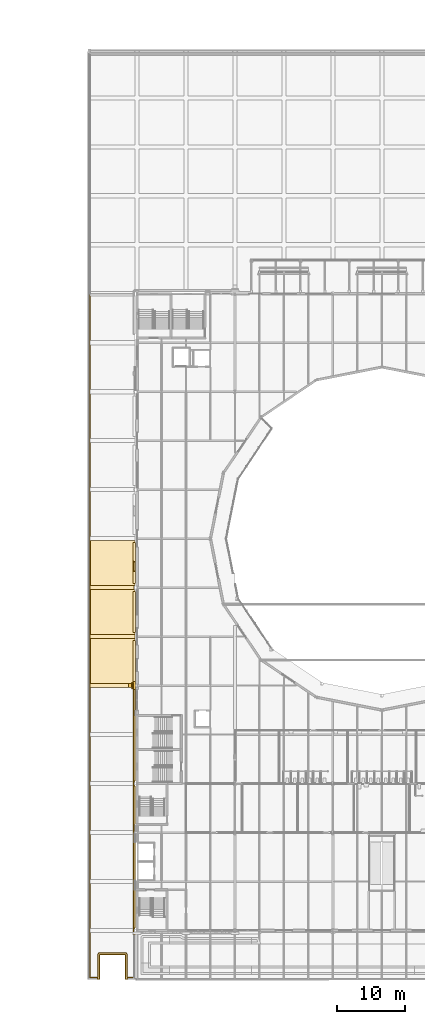
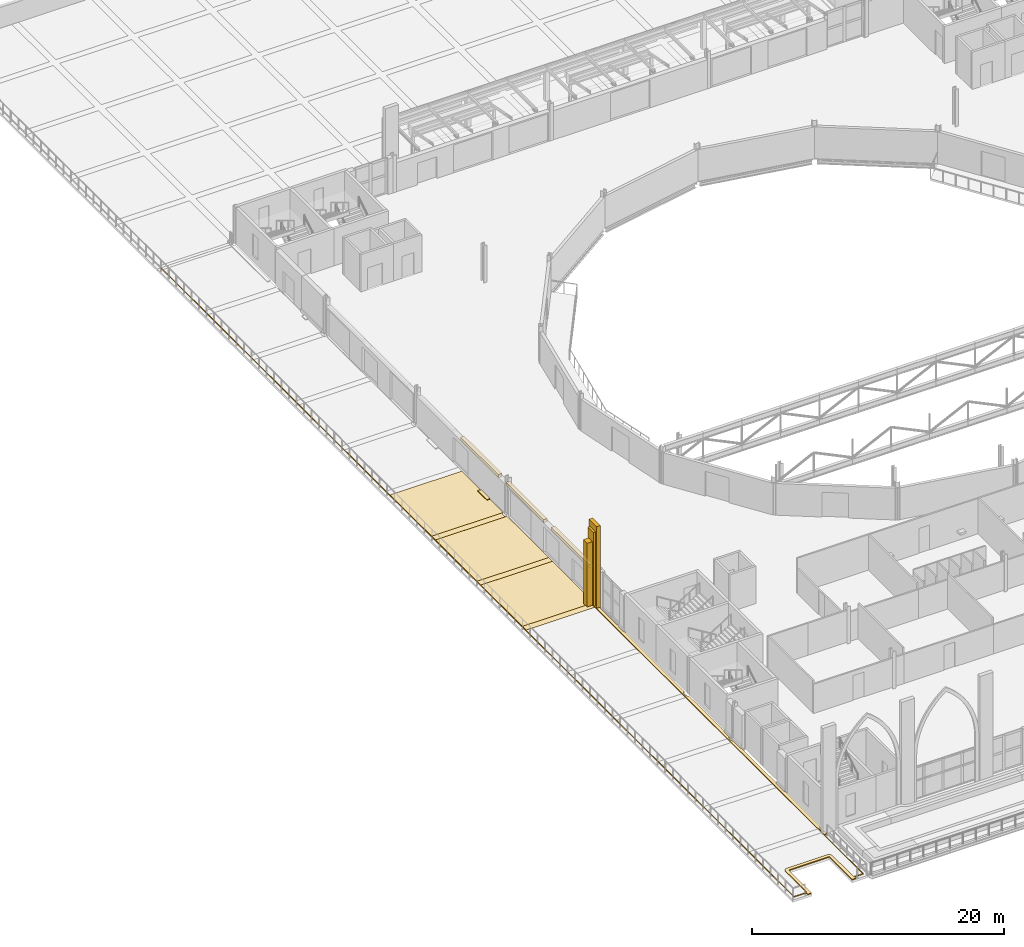
# One storey, part 106 of 143: 14 coverings.
"""IFC4 building model written with IfcOpenShell, lengths in metres."""

from ifc_helpers import new_model, si_unit, direction, frame, origin, origin_2d, place, context, subcontext, project, spatial, polyline, rectangle, outline, extrude, material, layer, layer_set, type_object, element, save


model = new_model("IFC4")

# Units and contexts
model_context = context("Model", 3, precision=1e-05, world=origin(), true_north=direction((0.0, 1.0)))
body_context = subcontext(model_context, "Body", "Model", "MODEL_VIEW")
ifc_project = project(units=[si_unit("LENGTHUNIT", "METRE"), si_unit("AREAUNIT", "SQUARE_METRE"), si_unit("VOLUMEUNIT", "CUBIC_METRE"), si_unit("PLANEANGLEUNIT", "RADIAN"), si_unit("MASSUNIT", "GRAM", prefix="KILO")], contexts=[model_context])

# Site, building, storey
site_placement = place(None, origin())
site = spatial("IfcSite", under=ifc_project, at=site_placement, CompositionType="ELEMENT")
building_placement = place(site_placement, origin())
building = spatial("IfcBuilding", under=site, at=building_placement, Name="Kupolbacken Congress Centre", CompositionType="ELEMENT")
storey_placement = place(building_placement, frame((0.0, 0.0, 7.199951171875)))
storey = spatial("IfcBuildingStorey", under=building, at=storey_placement, Name="L02", CompositionType="ELEMENT", Elevation=7.199951171875)

# Coverings
ifc_material_1 = material(Name="Limestone cladding", Category="masonry")
ifc_layer_1 = layer(ifc_material_1, 0.35009765625)
ifc_layer_set_1 = layer_set([ifc_layer_1], Name="Limestone cladding")
covering_type_1 = type_object("IfcCoveringType", Name="CV3 limestone pilaster strip 350", PredefinedType="CLADDING", material=ifc_layer_set_1)
covering_1_placement = place(storey_placement, frame((6.804931640625, 64.800048828125, 0.0), z_axis=(0.0, 0.0, 1.0), x_axis=(0.0, 1.0, 0.0)))
element("IfcCovering", 1, at=covering_1_placement, inside=storey, type_object=covering_type_1, Name="F/P/W/pil/00/0", PredefinedType="CLADDING", context=body_context, shape_type="SweptSolid", body=[
    extrude(rectangle(XDim=1.199951171875, YDim=0.35009765625, at=origin_2d()), origin(), (0.0, 0.0, 1.0), 8.02001953125),
])
for number, where, z_axis, x_axis, name in (
    (2, (6.804931640625, 68.39990234375, 3.2998046875), (0.0, 0.0, 1.0), (0.0, 1.0, 0.0), "F/HR/P/W/string/10.8/00"),
    (3, (6.804931640625, 75.60009765625, 3.2998046875), (0.0, 0.0, 1.0), (0.0, 1.0, 0.0), "F/HR/P/W/string/10.8/01"),
    (4, (6.804931640625, 82.800048828125, 3.2998046875), (0.0, 0.0, 1.0), (0.0, 1.0, 0.0), "F/HR/P/W/string/10.8/02"),
):
    element("IfcCovering", number, at=place(storey_placement, frame(where, z_axis=z_axis, x_axis=x_axis)), inside=storey, type_object=covering_type_1, Name=name, PredefinedType="CLADDING", context=body_context, shape_type="SweptSolid", body=[
        extrude(rectangle(XDim=6.0, YDim=0.35009765625, at=origin_2d()), origin(), (0.0, 0.0, 1.0), 0.300048828125),
    ])
ifc_material_2 = material(Name="Limestone cladding", Category="masonry")
ifc_layer_2 = layer(ifc_material_2, 0.5)
ifc_layer_set_2 = layer_set([ifc_layer_2], Name="Limestone cladding")
covering_type_2 = type_object("IfcCoveringType", Name="CV8 limestone drum pier 500", PredefinedType="CLADDING", material=ifc_layer_set_2)
covering_2_placement = place(storey_placement, frame((6.179931640625, 64.800048828125, 0.300048828125), z_axis=(0.0, 0.0, 1.0), x_axis=(0.0, 1.0, 0.0)))
element("IfcCovering", 5, at=covering_2_placement, inside=storey, type_object=covering_type_2, Name="F/HR/P/W/butt/00-0/0", PredefinedType="CLADDING", context=body_context, shape_type="SweptSolid", body=[
    extrude(rectangle(XDim=0.60009765625, YDim=0.5, at=origin_2d()), origin(), (0.0, 0.0, 1.0), 6.169921875),
])
ifc_material_3 = material(Name="Limestone cladding", Category="masonry")
ifc_layer_3 = layer(ifc_material_3, 0.199951171875)
ifc_layer_set_3 = layer_set([ifc_layer_3], Name="Limestone cladding")
covering_type_3 = type_object("IfcCoveringType", Name="CV9 limestone drum arch frame 200", PredefinedType="CLADDING", material=ifc_layer_set_3)
covering_3_placement = place(storey_placement, frame((6.530029296875, 64.800048828125, 0.300048828125), z_axis=(0.0, 0.0, 1.0), x_axis=(0.0, 1.0, 0.0)))
element("IfcCovering", 6, at=covering_3_placement, inside=storey, type_object=covering_type_3, Name="F/HR/P/W/rib/00-0/0", PredefinedType="CLADDING", context=body_context, shape_type="SweptSolid", body=[
    extrude(rectangle(XDim=0.89990234375, YDim=0.199951171875, at=origin_2d()), origin(), (0.0, 0.0, 1.0), 7.1201171875),
])
ifc_material_4 = material(Name="Limestone cladding", Category="masonry")
ifc_layer_4 = layer(ifc_material_4, 0.02001953125)
ifc_layer_set_4 = layer_set([ifc_layer_4], Name="Limestone cladding")
covering_type_4 = type_object("IfcCoveringType", Name="GF1 limestone paving 20", PredefinedType="FLOORING", material=ifc_layer_set_4)
covering_4_placement = place(storey_placement, origin())
element("IfcCovering", 7, at=covering_4_placement, inside=storey, type_object=covering_type_4, Name="West paving band", PredefinedType="FLOORING", context=body_context, shape_type="SweptSolid", body=[
    extrude(outline(polyline([(0.301025390625, 64.5), (0.301025390625, 65.10009765625), (6.82568359375, 65.10009765625), (6.80078125, 65.066650390625), (6.78173828125, 65.034912109375), (6.65380859375, 65.0537109375), (6.625, 65.06103515625), (6.625, 64.5), (0.301025390625, 64.5)])), origin(), (0.0, 0.0, 1.0), 0.02001953125),
])
covering_5_placement = place(storey_placement, origin())
element("IfcCovering", 8, at=covering_5_placement, inside=storey, type_object=covering_type_4, Name="West paving band", PredefinedType="FLOORING", context=body_context, shape_type="SweptSolid", body=[
    extrude(outline(polyline([(0.301025390625, 71.699951171875), (0.301025390625, 72.300048828125), (6.923095703125, 72.300048828125), (6.923095703125, 71.699951171875), (0.301025390625, 71.699951171875)])), origin(), (0.0, 0.0, 1.0), 0.02001953125),
])
covering_6_placement = place(storey_placement, origin())
element("IfcCovering", 9, at=covering_6_placement, inside=storey, type_object=covering_type_4, Name="West paving band", PredefinedType="FLOORING", context=body_context, shape_type="SweptSolid", body=[
    extrude(outline(polyline([(0.301025390625, 78.89990234375), (0.301025390625, 79.5), (6.82568359375, 79.5), (6.80078125, 79.466796875), (6.776611328125, 79.42626953125), (6.756591796875, 79.3837890625), (6.740478515625, 79.33935546875), (6.729248046875, 79.293701171875), (6.722412109375, 79.2470703125), (6.719970703125, 79.199951171875), (6.722412109375, 79.15283203125), (6.729248046875, 79.106201171875), (6.740478515625, 79.060791015625), (6.756591796875, 79.016357421875), (6.776611328125, 78.9736328125), (6.80078125, 78.933349609375), (6.82568359375, 78.89990234375), (0.301025390625, 78.89990234375)])), origin(), (0.0, 0.0, 1.0), 0.02001953125),
])
ifc_material_5 = material(Name="Brick", Category="masonry")
ifc_layer_5 = layer(ifc_material_5, 0.02001953125)
ifc_layer_set_5 = layer_set([ifc_layer_5], Name="Brick")
covering_type_5 = type_object("IfcCoveringType", Name="GF2 brick paving 20", PredefinedType="FLOORING", material=ifc_layer_set_5)
covering_7_placement = place(storey_placement, origin())
element("IfcCovering", 10, at=covering_7_placement, inside=storey, type_object=covering_type_5, Name="West terrace brick paving", PredefinedType="FLOORING", context=body_context, shape_type="SweptSolid", body=[
    extrude(outline(polyline([(6.828857421875, 65.1044921875), (6.80078125, 65.066650390625), (6.82568359375, 65.10009765625), (0.301025390625, 65.10009765625), (0.301025390625, 71.699951171875), (6.923095703125, 71.699951171875), (6.923095703125, 65.19140625), (6.8955078125, 65.171142578125), (6.860595703125, 65.139404296875), (6.828857421875, 65.1044921875)])), origin(), (0.0, 0.0, 1.0), 0.02001953125),
])
covering_8_placement = place(storey_placement, origin())
element("IfcCovering", 11, at=covering_8_placement, inside=storey, type_object=covering_type_5, Name="West terrace brick paving", PredefinedType="FLOORING", context=body_context, shape_type="SweptSolid", body=[
    extrude(outline(polyline([(6.923095703125, 72.300048828125), (0.301025390625, 72.300048828125), (0.301025390625, 78.89990234375), (6.82568359375, 78.89990234375), (6.80078125, 78.933349609375), (6.828857421875, 78.8955078125), (6.860595703125, 78.860595703125), (6.8955078125, 78.828857421875), (6.923095703125, 78.80859375), (6.923095703125, 72.300048828125)])), origin(), (0.0, 0.0, 1.0), 0.02001953125),
])
covering_9_placement = place(storey_placement, origin())
element("IfcCovering", 12, at=covering_9_placement, inside=storey, type_object=covering_type_5, Name="West terrace brick paving", PredefinedType="FLOORING", context=body_context, shape_type="SweptSolid", body=[
    extrude(outline(polyline([(6.7490234375, 81.602783203125), (6.923095703125, 81.611328125), (6.923095703125, 79.591552734375), (6.8955078125, 79.571044921875), (6.860595703125, 79.539306640625), (6.828857421875, 79.50439453125), (6.80078125, 79.466796875), (6.82568359375, 79.5), (0.301025390625, 79.5), (0.301025390625, 86.10009765625), (6.923095703125, 86.10009765625), (6.923095703125, 83.013671875), (6.86669921875, 83.016357421875), (6.625, 83.05224609375), (6.625, 81.58447265625), (6.7490234375, 81.602783203125)])), origin(), (0.0, 0.0, 1.0), 0.02001953125),
])
ifc_material_6 = material(Name="Granite setts", Category="masonry")
ifc_layer_6 = layer(ifc_material_6, 0.10009765625)
ifc_layer_set_6 = layer_set([ifc_layer_6], Name="Granite setts")
covering_type_6 = type_object("IfcCoveringType", Name="GR3 granite sett paving 100", PredefinedType="FLOORING", material=ifc_layer_set_6)
covering_10_placement = place(storey_placement, origin())
element("IfcCovering", 13, at=covering_10_placement, inside=storey, type_object=covering_type_6, Name="Granite kerb edging", PredefinedType="FLOORING", context=body_context, shape_type="SweptSolid", body=[
    extrude(outline(polyline([(6.729248046875, 64.893798828125), (6.722412109375, 64.84716796875), (6.719970703125, 64.800048828125), (6.722412109375, 64.7529296875), (6.729248046875, 64.706298828125), (6.740478515625, 64.66064453125), (6.756591796875, 64.6162109375), (6.776611328125, 64.57373046875), (6.80078125, 64.533203125), (6.828857421875, 64.49560546875), (6.860595703125, 64.460693359375), (6.8955078125, 64.428955078125), (6.923095703125, 64.408447265625), (6.923095703125, 61.201904296875), (6.85791015625, 61.201904296875), (6.85791015625, 60.39794921875), (6.923095703125, 60.39794921875), (6.923095703125, 50.79150390625), (6.8955078125, 50.77099609375), (6.860595703125, 50.739501953125), (6.828857421875, 50.70458984375), (6.80078125, 50.666748046875), (6.776611328125, 50.626220703125), (6.756591796875, 50.583740234375), (6.740478515625, 50.539306640625), (6.729248046875, 50.49365234375), (6.722412109375, 50.447021484375), (6.719970703125, 50.39990234375), (6.722412109375, 50.352783203125), (6.729248046875, 50.306396484375), (6.740478515625, 50.2607421875), (6.756591796875, 50.21630859375), (6.776611328125, 50.173583984375), (6.80078125, 50.13330078125), (6.828857421875, 50.095458984375), (6.860595703125, 50.060546875), (6.8955078125, 50.02880859375), (6.923095703125, 50.008544921875), (6.923095703125, 44.402099609375), (6.860107421875, 44.402099609375), (6.860107421875, 43.538818359375), (6.828857421875, 43.50439453125), (6.80078125, 43.466796875), (6.776611328125, 43.42626953125), (6.756591796875, 43.3837890625), (6.740478515625, 43.33935546875), (6.729248046875, 43.293701171875), (6.722412109375, 43.2470703125), (6.719970703125, 43.199951171875), (6.722412109375, 43.15283203125), (6.729248046875, 43.106201171875), (6.740478515625, 43.060791015625), (6.756591796875, 43.016357421875), (6.776611328125, 42.9736328125), (6.80078125, 42.933349609375), (6.828857421875, 42.8955078125), (6.860107421875, 42.861083984375), (6.860107421875, 41.748046875), (6.923095703125, 41.748046875), (6.923095703125, 36.152099609375), (6.860107421875, 36.152099609375), (6.860107421875, 34.798095703125), (6.923095703125, 34.798095703125), (6.923095703125, 29.19140625), (6.8955078125, 29.171142578125), (6.860595703125, 29.139404296875), (6.828857421875, 29.1044921875), (6.80078125, 29.066650390625), (6.776611328125, 29.0263671875), (6.756591796875, 28.983642578125), (6.740478515625, 28.939208984375), (6.729248046875, 28.893798828125), (6.722412109375, 28.84716796875), (6.719970703125, 28.800048828125), (6.722412109375, 28.7529296875), (6.729248046875, 28.706298828125), (6.740478515625, 28.66064453125), (6.756591796875, 28.6162109375), (6.776611328125, 28.57373046875), (6.80078125, 28.533203125), (6.828857421875, 28.49560546875), (6.860595703125, 28.460693359375), (6.8955078125, 28.428955078125), (6.923095703125, 28.408447265625), (6.923095703125, 28.090087890625), (6.893798828125, 28.10546875), (6.877197265625, 28.111572265625), (6.842529296875, 28.118408203125), (6.824951171875, 28.119140625), (6.807373046875, 28.118408203125), (6.772705078125, 28.111572265625), (6.739990234375, 28.097900390625), (6.710693359375, 28.078369140625), (6.69775390625, 28.06640625), (6.67529296875, 28.039306640625), (6.666259765625, 28.024169921875), (6.652587890625, 27.991455078125), (6.6484375, 27.974365234375), (6.64501953125, 27.93994140625), (6.64501953125, 21.8798828125), (5.974365234375, 21.8798828125), (5.93994140625, 21.876708984375), (5.922607421875, 21.872314453125), (5.89013671875, 21.85888671875), (5.86083984375, 21.839111328125), (5.835693359375, 21.814208984375), (5.816162109375, 21.784912109375), (5.80859375, 21.768798828125), (5.79833984375, 21.735107421875), (5.794921875, 21.699951171875), (5.7958984375, 21.682373046875), (5.802734375, 21.647705078125), (5.80859375, 21.631103515625), (5.82421875, 21.60205078125), (5.451904296875, 21.60205078125), (5.451904296875, 25.251953125), (1.748046875, 25.251953125), (1.748046875, 21.60205078125), (1.3583984375, 21.60205078125), (1.373779296875, 21.631103515625), (1.379638671875, 21.647705078125), (1.38671875, 21.682373046875), (1.38671875, 21.717529296875), (1.384033203125, 21.735107421875), (1.373779296875, 21.768798828125), (1.357177734375, 21.800048828125), (1.334716796875, 21.827392578125), (1.3076171875, 21.849609375), (1.292236328125, 21.85888671875), (1.259765625, 21.872314453125), (1.24267578125, 21.876708984375), (1.208251953125, 21.8798828125), (0.281005859375, 21.8798828125), (0.281005859375, 122.39794921875), (0.301025390625, 122.39794921875), (0.301025390625, 21.89990234375), (1.449951171875, 21.89990234375), (1.449951171875, 25.25), (1.451416015625, 25.279296875), (1.455810546875, 25.30859375), (1.462890625, 25.337158203125), (1.472900390625, 25.36474609375), (1.4853515625, 25.391357421875), (1.50048828125, 25.416748046875), (1.51806640625, 25.440185546875), (1.537841796875, 25.462158203125), (1.559814453125, 25.48193359375), (1.583251953125, 25.49951171875), (1.608642578125, 25.5146484375), (1.63525390625, 25.527099609375), (1.662841796875, 25.537109375), (1.69140625, 25.544189453125), (1.720703125, 25.548583984375), (1.75, 25.550048828125), (5.449951171875, 25.550048828125), (5.4794921875, 25.548583984375), (5.508544921875, 25.544189453125), (5.537109375, 25.537109375), (5.564697265625, 25.527099609375), (5.59130859375, 25.5146484375), (5.61669921875, 25.49951171875), (5.640380859375, 25.48193359375), (5.662109375, 25.462158203125), (5.681884765625, 25.440185546875), (5.699462890625, 25.416748046875), (5.714599609375, 25.391357421875), (5.727294921875, 25.36474609375), (5.737060546875, 25.337158203125), (5.744140625, 25.30859375), (5.74853515625, 25.279296875), (5.75, 25.25), (5.75, 21.89990234375), (6.625, 21.89990234375), (6.625, 65.06103515625), (6.65380859375, 65.0537109375), (6.78173828125, 65.034912109375), (6.756591796875, 64.983642578125), (6.740478515625, 64.939208984375), (6.729248046875, 64.893798828125)])), origin(), (0.0, 0.0, 1.0), 0.10009765625),
])
covering_11_placement = place(storey_placement, origin())
element("IfcCovering", 14, at=covering_11_placement, inside=storey, type_object=covering_type_6, Name="Granite kerb edging", PredefinedType="FLOORING", context=body_context, shape_type="SweptSolid", body=[
    extrude(outline(polyline([(6.625, 83.05224609375), (6.86669921875, 83.016357421875), (6.923095703125, 83.013671875), (6.923095703125, 81.611328125), (6.7490234375, 81.602783203125), (6.625, 81.58447265625), (6.625, 83.05224609375)])), origin(), (0.0, 0.0, 1.0), 0.10009765625),
])

save(model, "model.ifc")
